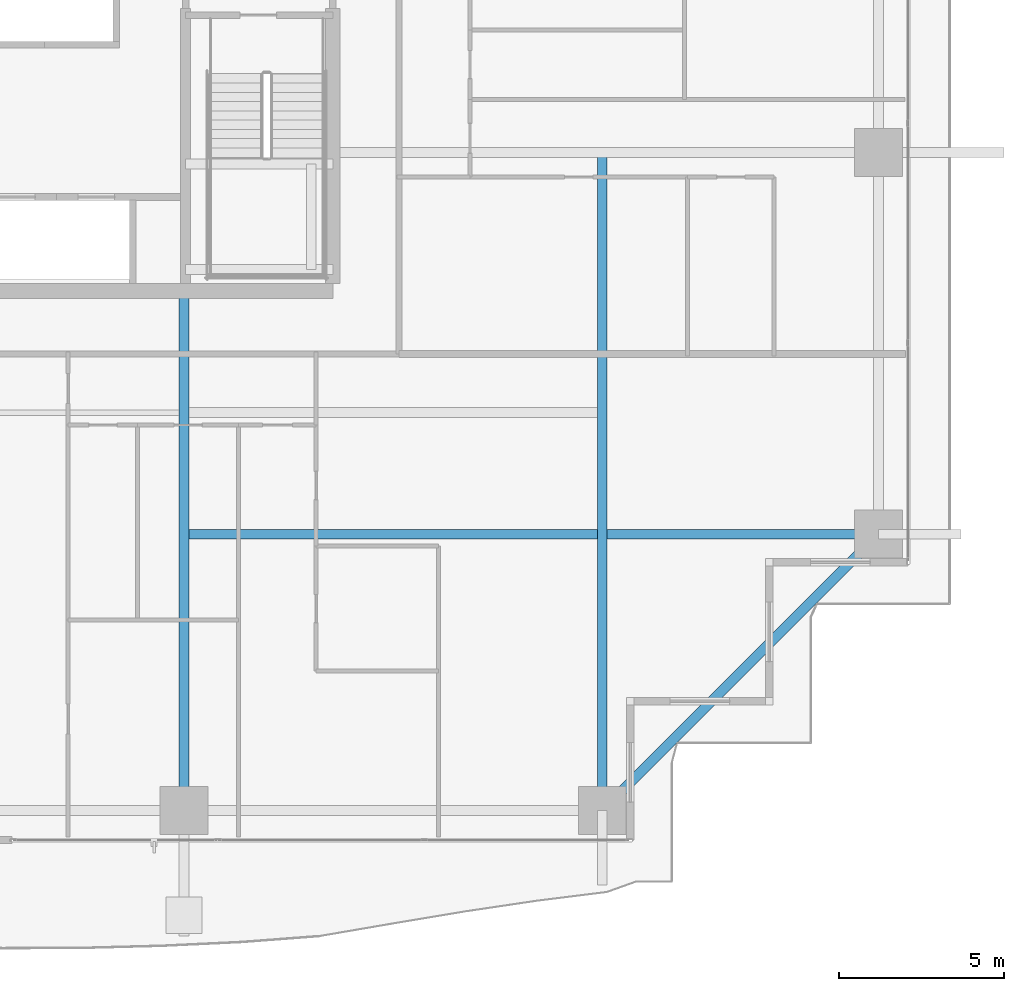
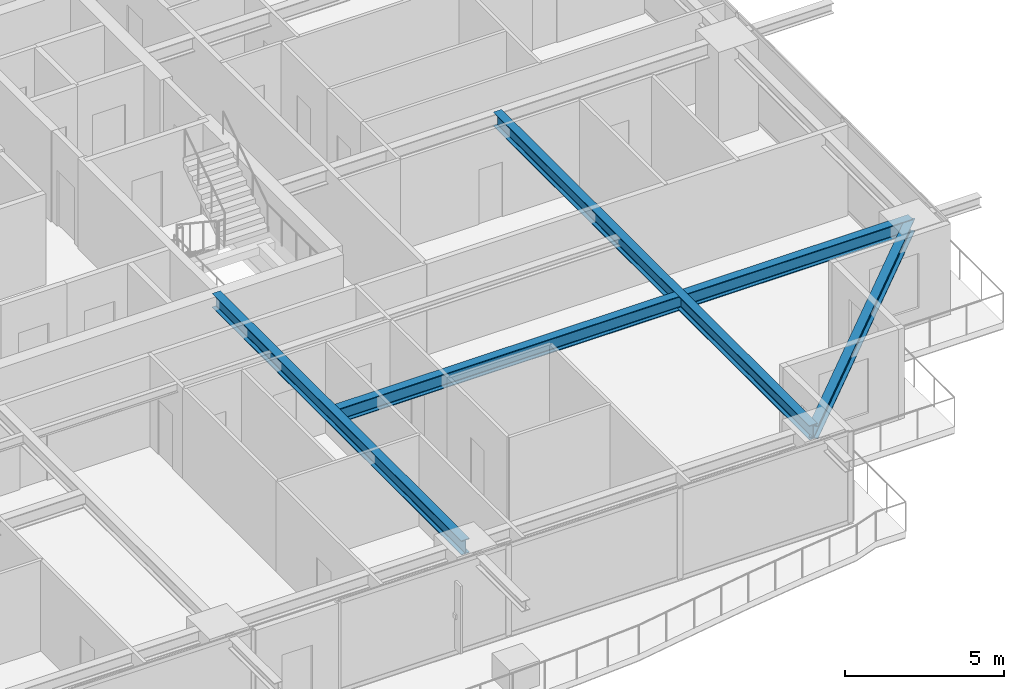
# One storey, part 12 of 41: 4 beams.
"""IFC4 building model written with IfcOpenShell, lengths in metres."""

from ifc_helpers import new_model, si_unit, direction, frame, origin, origin_2d, place, context, subcontext, project, spatial, i_section, extrude, source, transform, mapped, material, material_profile, profile_set, type_object, element, save


model = new_model("IFC4")

# Units and contexts
model_context = context("Model", 3, precision=1e-05, world=origin(), true_north=direction((0.0, 1.0)))
body_context = subcontext(model_context, "Body", "Model", "MODEL_VIEW")
ifc_project = project(units=[si_unit("LENGTHUNIT", "METRE"), si_unit("AREAUNIT", "SQUARE_METRE"), si_unit("VOLUMEUNIT", "CUBIC_METRE"), si_unit("PLANEANGLEUNIT", "RADIAN"), si_unit("MASSUNIT", "GRAM", prefix="KILO")], contexts=[model_context])

# Site, building, storey
site_placement = place(None, origin())
site = spatial("IfcSite", under=ifc_project, at=site_placement, CompositionType="ELEMENT")
building_placement = place(site_placement, origin())
building = spatial("IfcBuilding", under=site, at=building_placement, Name="Serunith Strait Residences", CompositionType="ELEMENT")
storey_placement = place(building_placement, frame((0.0, 0.0, 75.449951171875)))
storey = spatial("IfcBuildingStorey", under=building, at=storey_placement, Name="L18", CompositionType="ELEMENT", Elevation=75.449951171875)

# Beams
ifc_material = material(Name="Steel S355J2", Category="steel")
ifc_material_profile_1 = material_profile(ifc_material, i_section(OverallWidth=0.300048828125, OverallDepth=0.550048828125, WebThickness=0.014892578125, FlangeThickness=0.029052734375, FilletRadius=0.027099609375, at=origin_2d()), Name="HEB 550")
ifc_profile_set_1 = profile_set([ifc_material_profile_1], Name="Steel S355J2")
beam_type_1 = type_object("IfcBeamType", Name="BM-HEB550", PredefinedType="BEAM", material=ifc_profile_set_1)
shared_shape_1 = source(origin(), body_context, "Body", "SweptSolid", [
    extrude(i_section(OverallWidth=0.300048828125, OverallDepth=0.550048828125, WebThickness=0.014892578125, FlangeThickness=0.029052734375, FilletRadius=0.027099609375, at=origin_2d()), origin(), (0.0, 0.0, 1.0), 15.699951171875),
])
beam_1_placement = place(storey_placement, frame((36.89990234375, 16.800048828125, 3.212158203125), z_axis=(0.0, -1.0, 0.0), x_axis=(1.0, 0.0, 0.0)))
element("IfcBeam", 1, at=beam_1_placement, inside=storey, type_object=beam_type_1, Name="L18 Primary Floor Girder TC-S3", PredefinedType="BEAM", context=body_context, shape_type="MappedRepresentation", body=[
    mapped(shared_shape_1, transform((0.0, 0.0, 0.0), scale=1.0)),
])
shared_shape_2 = source(origin(), body_context, "Body", "SweptSolid", [
    extrude(i_section(OverallWidth=0.300048828125, OverallDepth=0.550048828125, WebThickness=0.014892578125, FlangeThickness=0.029052734375, FilletRadius=0.027099609375, at=origin_2d()), origin(), (0.0, 0.0, 1.0), 19.89990234375),
])
beam_2_placement = place(storey_placement, frame((49.550048828125, 21.0, 3.212158203125), z_axis=(0.0, -1.0, 0.0), x_axis=(1.0, 0.0, 0.0)))
element("IfcBeam", 2, at=beam_2_placement, inside=storey, type_object=beam_type_1, Name="L18 Orthogonal Corner Girder TC-S4", PredefinedType="BEAM", context=body_context, shape_type="MappedRepresentation", body=[
    mapped(shared_shape_2, transform((0.0, 0.0, 0.0), scale=1.0)),
])
shared_shape_3 = source(origin(), body_context, "Body", "SweptSolid", [
    extrude(i_section(OverallWidth=0.300048828125, OverallDepth=0.550048828125, WebThickness=0.014892578125, FlangeThickness=0.029052734375, FilletRadius=0.027099609375, at=origin_2d()), origin(), (0.0, 0.0, 1.0), 21.0),
])
beam_3_placement = place(storey_placement, frame((36.89990234375, 9.449951171875, 3.212158203125), z_axis=(1.0, 0.0, 0.0), x_axis=(0.0, 1.0, 0.0)))
element("IfcBeam", 3, at=beam_3_placement, inside=storey, type_object=beam_type_1, Name="L18 Orthogonal Corner Girder TC-E1", PredefinedType="BEAM", context=body_context, shape_type="MappedRepresentation", body=[
    mapped(shared_shape_3, transform((0.0, 0.0, 0.0), scale=1.0)),
])
ifc_material_profile_2 = material_profile(ifc_material, i_section(OverallWidth=0.300048828125, OverallDepth=0.5, WebThickness=0.014404296875, FlangeThickness=0.028076171875, FilletRadius=0.027099609375, at=origin_2d()), Name="HEB 500")
ifc_profile_set_2 = profile_set([ifc_material_profile_2], Name="Steel S355J2")
beam_type_2 = type_object("IfcBeamType", Name="BM-HEB500", PredefinedType="BEAM", material=ifc_profile_set_2)
shared_shape_4 = source(origin(), body_context, "Body", "SweptSolid", [
    extrude(i_section(OverallWidth=0.300048828125, OverallDepth=0.5, WebThickness=0.014404296875, FlangeThickness=0.028076171875, FilletRadius=0.027099609375, at=origin_2d()), origin(), (0.0, 0.0, 1.0), 11.80859375),
])
beam_4_placement = place(storey_placement, frame((49.550048828125, 1.10009765625, 3.20703125), z_axis=(0.707106781187, 0.707106781187, 0.0), x_axis=(-0.707106781187, 0.707106781187, 0.0)))
element("IfcBeam", 4, at=beam_4_placement, inside=storey, type_object=beam_type_2, Name="L18 Perimeter Ring Beam 04", PredefinedType="BEAM", context=body_context, shape_type="MappedRepresentation", body=[
    mapped(shared_shape_4, transform((0.0, 0.0, 0.0), scale=1.0)),
])

save(model, "model.ifc")
